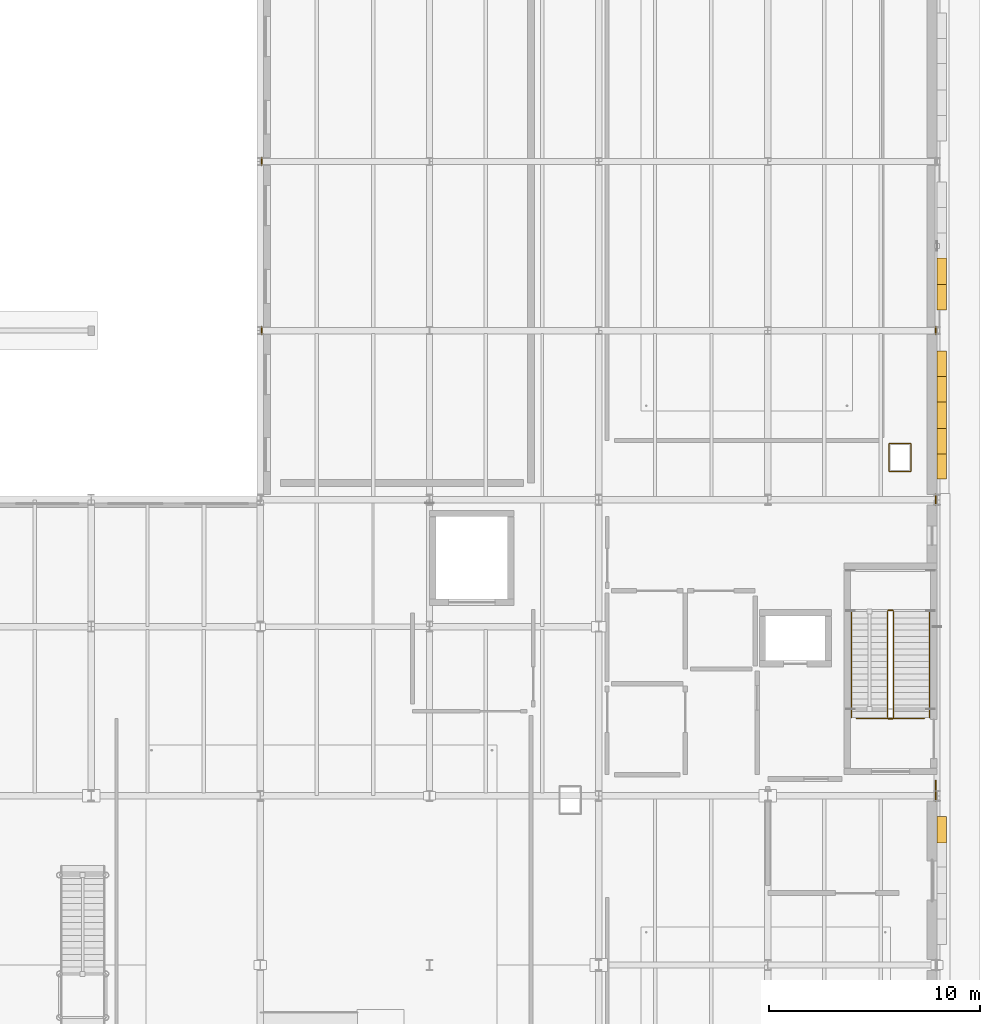
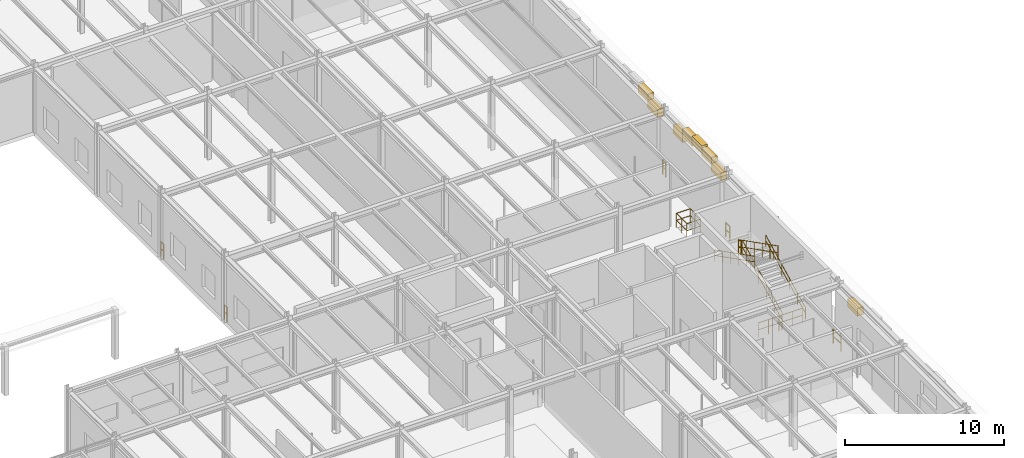
# One storey, part 123 of 129: 14 railings, 8 coverings.
"""IFC4 building model written with IfcOpenShell, lengths in metres."""

from ifc_helpers import new_model, si_unit, direction, frame, origin, origin_2d, place, context, subcontext, project, spatial, rectangle, circle, extrude, material, layer, layer_set, type_object, element, save


model = new_model("IFC4")

# Units and contexts
model_context = context("Model", 3, precision=1e-05, world=origin(), true_north=direction((0.0, 1.0)))
body_context = subcontext(model_context, "Body", "Model", "MODEL_VIEW")
ifc_project = project(units=[si_unit("LENGTHUNIT", "METRE"), si_unit("AREAUNIT", "SQUARE_METRE"), si_unit("VOLUMEUNIT", "CUBIC_METRE"), si_unit("PLANEANGLEUNIT", "RADIAN"), si_unit("MASSUNIT", "GRAM", prefix="KILO")], contexts=[model_context])

# Site, building, storey
site_placement = place(None, origin())
site = spatial("IfcSite", under=ifc_project, at=site_placement, CompositionType="ELEMENT")
building_placement = place(site_placement, origin())
building = spatial("IfcBuilding", under=site, at=building_placement, Name="Sundkrona Museum", CompositionType="ELEMENT")
storey_placement = place(building_placement, origin())
storey = spatial("IfcBuildingStorey", under=building, at=storey_placement, Name="L00", CompositionType="ELEMENT", Elevation=0.0)

# Coverings
ifc_material_1 = material(Name="Frost-Resistant Vitrified Stoneware Mosaic Cladding", Category="masonry")
ifc_layer = layer(ifc_material_1, 0.044921875)
ifc_layer_set = layer_set([ifc_layer], Name="Frost-Resistant Vitrified Stoneware Mosaic Cladding")
covering_type = type_object("IfcCoveringType", Name="COV-CLD-MOS", PredefinedType="CLADDING", material=ifc_layer_set)
for number, where, z_axis, x_axis, name in (
    (1, (168.219970703125, 30.39990234375, 3.8310546875), (0.0, 0.0, 1.0), (1.0, 0.0, 0.0), "Catalan Modernisme East Avenue Arch Voussoir 120"),
    (2, (168.219970703125, 47.60009765625, 3.8310546875), (0.0, 0.0, 1.0), (1.0, 0.0, 0.0), "Catalan Modernisme East Avenue Arch Voussoir 121"),
    (3, (168.219970703125, 48.800048828125, 4.295166015625), (0.0, 0.0, 1.0), (1.0, 0.0, 0.0), "Catalan Modernisme East Avenue Arch Voussoir 122"),
    (4, (168.219970703125, 50.0, 4.449951171875), (0.0, 0.0, 1.0), (1.0, 0.0, 0.0), "Catalan Modernisme East Avenue Arch Voussoir 123"),
    (5, (168.219970703125, 51.199951171875, 4.295166015625), (0.0, 0.0, 1.0), (1.0, 0.0, 0.0), "Catalan Modernisme East Avenue Arch Voussoir 124"),
    (6, (168.219970703125, 52.39990234375, 3.8310546875), (0.0, 0.0, 1.0), (1.0, 0.0, 0.0), "Catalan Modernisme East Avenue Arch Voussoir 125"),
    (7, (168.219970703125, 55.60009765625, 3.8310546875), (0.0, 0.0, 1.0), (1.0, 0.0, 0.0), "Catalan Modernisme East Avenue Arch Voussoir 126"),
    (8, (168.219970703125, 56.800048828125, 4.295166015625), (0.0, 0.0, 1.0), (1.0, 0.0, 0.0), "Catalan Modernisme East Avenue Arch Voussoir 127"),
):
    element("IfcCovering", number, at=place(storey_placement, frame(where, z_axis=z_axis, x_axis=x_axis)), inside=storey, type_object=covering_type, Name=name, PredefinedType="CLADDING", context=body_context, shape_type="SweptSolid", body=[
        extrude(rectangle(XDim=0.43994140625, YDim=1.25, at=origin_2d()), origin(), (0.0, 0.0, 1.0), 0.60009765625),
    ])

# Railings
ifc_material_2 = material(Name="Painted Steel S355J2 and Laminated Glass Balustrade", Category="steel")
railing_type_1 = type_object("IfcRailingType", Name="RL-GUARD-1100", PredefinedType="BALUSTRADE", material=ifc_material_2)
railing_1_placement = place(storey_placement, frame((165.949951171875, 35.699951171875, 0.14990234375)))
element("IfcRailing", 9, at=railing_1_placement, inside=storey, type_object=railing_type_1, Name="L00 ST-1 stair guard 1", PredefinedType="BALUSTRADE", context=body_context, shape_type="SweptSolid", body=[
    extrude(circle(Radius=0.02392578125, at=origin_2d()), frame((0.0, 0.0, 1.076171875), z_axis=(0.0, 0.891386615937, 0.453243754428), x_axis=(-1.0, 0.0, 0.0)), (0.0, 0.0, 1.0), 5.626220703125),
    extrude(circle(Radius=0.02392578125, at=origin_2d()), frame((0.0, 0.0, 0.550048828125), z_axis=(0.0, 0.891386615937, 0.453243754428), x_axis=(-1.0, 0.0, 0.0)), (0.0, 0.0, 1.0), 5.626220703125),
    extrude(circle(Radius=0.02099609375, at=origin_2d()), origin(), (0.0, 0.0, 1.0), 1.052001953125),
    extrude(circle(Radius=0.02099609375, at=origin_2d()), frame((0.0, 1.0029296875, 0.510009765625)), (0.0, 0.0, 1.0), 1.052001953125),
    extrude(circle(Radius=0.02099609375, at=origin_2d()), frame((0.0, 2.006103515625, 1.02001953125)), (0.0, 0.0, 1.0), 1.052001953125),
    extrude(circle(Radius=0.02099609375, at=origin_2d()), frame((0.0, 3.009033203125, 1.530029296875)), (0.0, 0.0, 1.0), 1.052001953125),
    extrude(circle(Radius=0.02099609375, at=origin_2d()), frame((0.0, 4.01220703125, 2.0400390625)), (0.0, 0.0, 1.0), 1.052001953125),
    extrude(circle(Radius=0.02099609375, at=origin_2d()), frame((0.0, 5.01513671875, 2.550048828125)), (0.0, 0.0, 1.0), 1.052001953125),
])
railing_2_placement = place(storey_placement, frame((165.89990234375, 40.764892578125, 2.699951171875)))
element("IfcRailing", 10, at=railing_2_placement, inside=storey, type_object=railing_type_1, Name="L00 ST-1 stair guard 2", PredefinedType="BALUSTRADE", context=body_context, shape_type="SweptSolid", body=[
    extrude(circle(Radius=0.02392578125, at=origin_2d()), frame((0.0, 0.0, 1.076171875), z_axis=(-1.0, 0.0, 0.0), x_axis=(0.0, -1.0, 0.0)), (0.0, 0.0, 1.0), 0.199951171875),
    extrude(circle(Radius=0.02392578125, at=origin_2d()), frame((0.0, 0.0, 0.550048828125), z_axis=(-1.0, 0.0, 0.0), x_axis=(0.0, -1.0, 0.0)), (0.0, 0.0, 1.0), 0.199951171875),
    extrude(circle(Radius=0.02099609375, at=origin_2d()), origin(), (0.0, 0.0, 1.0), 1.052001953125),
    extrude(circle(Radius=0.02099609375, at=origin_2d()), frame((-0.199951171875, 0.0, 0.0)), (0.0, 0.0, 1.0), 1.052001953125),
])
railing_3_placement = place(storey_placement, frame((165.64990234375, 40.715087890625, 2.85009765625)))
element("IfcRailing", 11, at=railing_3_placement, inside=storey, type_object=railing_type_1, Name="L00 ST-1 stair guard 3", PredefinedType="BALUSTRADE", context=body_context, shape_type="SweptSolid", body=[
    extrude(circle(Radius=0.02392578125, at=origin_2d()), frame((0.0, 0.0, 1.076171875), z_axis=(0.0, -0.891404147206, 0.453209274336), x_axis=(1.0, 0.0, 0.0)), (0.0, 0.0, 1.0), 5.626220703125),
    extrude(circle(Radius=0.02392578125, at=origin_2d()), frame((0.0, 0.0, 0.550048828125), z_axis=(0.0, -0.891404147206, 0.453209274336), x_axis=(1.0, 0.0, 0.0)), (0.0, 0.0, 1.0), 5.626220703125),
    extrude(circle(Radius=0.02099609375, at=origin_2d()), origin(), (0.0, 0.0, 1.0), 1.052001953125),
    extrude(circle(Radius=0.02099609375, at=origin_2d()), frame((0.0, -1.0029296875, 0.510009765625)), (0.0, 0.0, 1.0), 1.052001953125),
    extrude(circle(Radius=0.02099609375, at=origin_2d()), frame((0.0, -2.006103515625, 1.02001953125)), (0.0, 0.0, 1.0), 1.052001953125),
    extrude(circle(Radius=0.02099609375, at=origin_2d()), frame((0.0, -3.009033203125, 1.52978515625)), (0.0, 0.0, 1.0), 1.052001953125),
    extrude(circle(Radius=0.02099609375, at=origin_2d()), frame((0.0, -4.01220703125, 2.039794921875)), (0.0, 0.0, 1.0), 1.052001953125),
    extrude(circle(Radius=0.02099609375, at=origin_2d()), frame((0.0, -5.01513671875, 2.5498046875)), (0.0, 0.0, 1.0), 1.052001953125),
])
railing_4_placement = place(storey_placement, frame((165.89990234375, 35.64990234375, 0.0)))
element("IfcRailing", 12, at=railing_4_placement, inside=storey, type_object=railing_type_1, Name="L00 ST-1 stair guard 4", PredefinedType="BALUSTRADE", context=body_context, shape_type="SweptSolid", body=[
    extrude(circle(Radius=0.02392578125, at=origin_2d()), frame((0.0, 0.0, 1.076171875), z_axis=(-1.0, 0.0, 0.0), x_axis=(0.0, -1.0, 0.0)), (0.0, 0.0, 1.0), 0.199951171875),
    extrude(circle(Radius=0.02392578125, at=origin_2d()), frame((0.0, 0.0, 0.550048828125), z_axis=(-1.0, 0.0, 0.0), x_axis=(0.0, -1.0, 0.0)), (0.0, 0.0, 1.0), 0.199951171875),
    extrude(circle(Radius=0.02099609375, at=origin_2d()), origin(), (0.0, 0.0, 1.0), 1.052001953125),
    extrude(circle(Radius=0.02099609375, at=origin_2d()), frame((-0.199951171875, 0.0, 0.0)), (0.0, 0.0, 1.0), 1.052001953125),
])
for number, where, name in (
    (13, (136.06005859375, 53.818115234375, 0.0), "L00 Edge Protection Balustrade 034"),
    (14, (136.06005859375, 61.818115234375, 0.0), "L00 Edge Protection Balustrade 035"),
):
    element("IfcRailing", number, at=place(storey_placement, frame(where)), inside=storey, type_object=railing_type_1, Name=name, PredefinedType="BALUSTRADE", context=body_context, shape_type="SweptSolid", body=[
        extrude(circle(Radius=0.02392578125, at=origin_2d()), frame((0.0, 0.0, 1.09619140625), z_axis=(0.0, 1.0, 0.0), x_axis=(-1.0, 0.0, 0.0)), (0.0, 0.0, 1.0), 0.36376953125),
        extrude(circle(Radius=0.02392578125, at=origin_2d()), frame((0.0, 0.0, 0.56005859375), z_axis=(0.0, 1.0, 0.0), x_axis=(-1.0, 0.0, 0.0)), (0.0, 0.0, 1.0), 0.36376953125),
        extrude(circle(Radius=0.02099609375, at=origin_2d()), origin(), (0.0, 0.0, 1.0), 1.072021484375),
        extrude(circle(Radius=0.02099609375, at=origin_2d()), frame((0.0, 0.36376953125, 0.0)), (0.0, 0.0, 1.0), 1.072021484375),
    ])
railing_5_placement = place(storey_placement, frame((164.179931640625, 35.6650390625, 0.0)))
element("IfcRailing", 15, at=railing_5_placement, inside=storey, type_object=railing_type_1, Name="L00 Edge Protection Balustrade 041", PredefinedType="BALUSTRADE", context=body_context, shape_type="SweptSolid", body=[
    extrude(circle(Radius=0.02392578125, at=origin_2d()), frame((0.0, 0.0, 1.09619140625), z_axis=(1.0, 0.0, 0.0), x_axis=(0.0, 1.0, 0.0)), (0.0, 0.0, 1.0), 1.52001953125),
    extrude(circle(Radius=0.02392578125, at=origin_2d()), frame((0.0, 0.0, 0.56005859375), z_axis=(1.0, 0.0, 0.0), x_axis=(0.0, 1.0, 0.0)), (0.0, 0.0, 1.0), 1.52001953125),
    extrude(circle(Radius=0.02099609375, at=origin_2d()), origin(), (0.0, 0.0, 1.0), 1.072021484375),
    extrude(circle(Radius=0.02099609375, at=origin_2d()), frame((0.760009765625, 0.0, 0.0)), (0.0, 0.0, 1.0), 1.072021484375),
    extrude(circle(Radius=0.02099609375, at=origin_2d()), frame((1.52001953125, 0.0, 0.0)), (0.0, 0.0, 1.0), 1.072021484375),
])
railing_6_placement = place(storey_placement, frame((166.760009765625, 48.659912109375, 0.0)))
element("IfcRailing", 16, at=railing_6_placement, inside=storey, type_object=railing_type_1, Name="L00 Edge Protection Balustrade 042", PredefinedType="BALUSTRADE", context=body_context, shape_type="SweptSolid", body=[
    extrude(circle(Radius=0.02392578125, at=origin_2d()), frame((0.0, 0.0, 1.09619140625), z_axis=(-1.0, 0.0, 0.0), x_axis=(0.0, -1.0, 0.0)), (0.0, 0.0, 1.0), 1.02001953125),
    extrude(circle(Radius=0.02392578125, at=origin_2d()), frame((0.0, 0.0, 0.56005859375), z_axis=(-1.0, 0.0, 0.0), x_axis=(0.0, -1.0, 0.0)), (0.0, 0.0, 1.0), 1.02001953125),
    extrude(circle(Radius=0.02392578125, at=origin_2d()), frame((-1.02001953125, 0.0, 1.09619140625), z_axis=(0.0, -1.0, 0.0), x_axis=(1.0, 0.0, 0.0)), (0.0, 0.0, 1.0), 1.31982421875),
    extrude(circle(Radius=0.02392578125, at=origin_2d()), frame((-1.02001953125, 0.0, 0.56005859375), z_axis=(0.0, -1.0, 0.0), x_axis=(1.0, 0.0, 0.0)), (0.0, 0.0, 1.0), 1.31982421875),
    extrude(circle(Radius=0.02392578125, at=origin_2d()), frame((-1.02001953125, -1.31982421875, 1.09619140625), z_axis=(1.0, 0.0, 0.0), x_axis=(0.0, 1.0, 0.0)), (0.0, 0.0, 1.0), 1.02001953125),
    extrude(circle(Radius=0.02392578125, at=origin_2d()), frame((-1.02001953125, -1.31982421875, 0.56005859375), z_axis=(1.0, 0.0, 0.0), x_axis=(0.0, 1.0, 0.0)), (0.0, 0.0, 1.0), 1.02001953125),
    extrude(circle(Radius=0.02392578125, at=origin_2d()), frame((0.0, -1.31982421875, 1.09619140625), z_axis=(0.0, 1.0, 0.0), x_axis=(-1.0, 0.0, 0.0)), (0.0, 0.0, 1.0), 1.31982421875),
    extrude(circle(Radius=0.02392578125, at=origin_2d()), frame((0.0, -1.31982421875, 0.56005859375), z_axis=(0.0, 1.0, 0.0), x_axis=(-1.0, 0.0, 0.0)), (0.0, 0.0, 1.0), 1.31982421875),
    extrude(circle(Radius=0.02099609375, at=origin_2d()), origin(), (0.0, 0.0, 1.0), 1.072021484375),
    extrude(circle(Radius=0.02099609375, at=origin_2d()), frame((-1.02001953125, 0.0, 0.0)), (0.0, 0.0, 1.0), 1.072021484375),
    extrude(circle(Radius=0.02099609375, at=origin_2d()), frame((-1.02001953125, -0.659912109375, 0.0)), (0.0, 0.0, 1.0), 1.072021484375),
    extrude(circle(Radius=0.02099609375, at=origin_2d()), frame((-1.02001953125, -1.31982421875, 0.0)), (0.0, 0.0, 1.0), 1.072021484375),
    extrude(circle(Radius=0.02099609375, at=origin_2d()), frame((0.0, -1.31982421875, 0.0)), (0.0, 0.0, 1.0), 1.072021484375),
    extrude(circle(Radius=0.02099609375, at=origin_2d()), frame((0.0, -0.659912109375, 0.0)), (0.0, 0.0, 1.0), 1.072021484375),
])
railing_7_placement = place(storey_placement, frame((165.89990234375, 35.6650390625, 0.0)))
element("IfcRailing", 17, at=railing_7_placement, inside=storey, type_object=railing_type_1, Name="L00 Edge Protection Balustrade 043", PredefinedType="BALUSTRADE", context=body_context, shape_type="SweptSolid", body=[
    extrude(circle(Radius=0.02392578125, at=origin_2d()), frame((0.0, 0.0, 1.09619140625), z_axis=(1.0, 0.0, 0.0), x_axis=(0.0, 1.0, 0.0)), (0.0, 0.0, 1.0), 1.52001953125),
    extrude(circle(Radius=0.02392578125, at=origin_2d()), frame((0.0, 0.0, 0.56005859375), z_axis=(1.0, 0.0, 0.0), x_axis=(0.0, 1.0, 0.0)), (0.0, 0.0, 1.0), 1.52001953125),
    extrude(circle(Radius=0.02099609375, at=origin_2d()), origin(), (0.0, 0.0, 1.0), 1.072021484375),
    extrude(circle(Radius=0.02099609375, at=origin_2d()), frame((0.760009765625, 0.0, 0.0)), (0.0, 0.0, 1.0), 1.072021484375),
    extrude(circle(Radius=0.02099609375, at=origin_2d()), frame((1.52001953125, 0.0, 0.0)), (0.0, 0.0, 1.0), 1.072021484375),
])
railing_8_placement = place(storey_placement, frame((167.93994140625, 32.719970703125, 0.0)))
element("IfcRailing", 18, at=railing_8_placement, inside=storey, type_object=railing_type_1, Name="L00 Edge Protection Balustrade 047", PredefinedType="BALUSTRADE", context=body_context, shape_type="SweptSolid", body=[
    extrude(circle(Radius=0.02392578125, at=origin_2d()), frame((0.0, 0.0, 1.09619140625), z_axis=(0.0, -1.0, 0.0), x_axis=(1.0, 0.0, 0.0)), (0.0, 0.0, 1.0), 0.971923828125),
    extrude(circle(Radius=0.02392578125, at=origin_2d()), frame((0.0, 0.0, 0.56005859375), z_axis=(0.0, -1.0, 0.0), x_axis=(1.0, 0.0, 0.0)), (0.0, 0.0, 1.0), 0.971923828125),
    extrude(circle(Radius=0.02099609375, at=origin_2d()), origin(), (0.0, 0.0, 1.0), 1.072021484375),
    extrude(circle(Radius=0.02099609375, at=origin_2d()), frame((0.0, -0.971923828125, 0.0)), (0.0, 0.0, 1.0), 1.072021484375),
])
railing_9_placement = place(storey_placement, frame((167.93994140625, 46.251953125, 0.0)))
element("IfcRailing", 19, at=railing_9_placement, inside=storey, type_object=railing_type_1, Name="L00 Edge Protection Balustrade 048", PredefinedType="BALUSTRADE", context=body_context, shape_type="SweptSolid", body=[
    extrude(circle(Radius=0.02392578125, at=origin_2d()), frame((0.0, 0.0, 1.09619140625), z_axis=(0.0, -1.0, 0.0), x_axis=(1.0, 0.0, 0.0)), (0.0, 0.0, 1.0), 0.50390625),
    extrude(circle(Radius=0.02392578125, at=origin_2d()), frame((0.0, 0.0, 0.56005859375), z_axis=(0.0, -1.0, 0.0), x_axis=(1.0, 0.0, 0.0)), (0.0, 0.0, 1.0), 0.50390625),
    extrude(circle(Radius=0.02099609375, at=origin_2d()), origin(), (0.0, 0.0, 1.0), 1.072021484375),
    extrude(circle(Radius=0.02099609375, at=origin_2d()), frame((0.0, -0.50390625, 0.0)), (0.0, 0.0, 1.0), 1.072021484375),
])
railing_10_placement = place(storey_placement, frame((167.93994140625, 54.181884765625, 0.0)))
element("IfcRailing", 20, at=railing_10_placement, inside=storey, type_object=railing_type_1, Name="L00 Edge Protection Balustrade 049", PredefinedType="BALUSTRADE", context=body_context, shape_type="SweptSolid", body=[
    extrude(circle(Radius=0.02392578125, at=origin_2d()), frame((0.0, 0.0, 1.09619140625), z_axis=(0.0, -1.0, 0.0), x_axis=(1.0, 0.0, 0.0)), (0.0, 0.0, 1.0), 0.36376953125),
    extrude(circle(Radius=0.02392578125, at=origin_2d()), frame((0.0, 0.0, 0.56005859375), z_axis=(0.0, -1.0, 0.0), x_axis=(1.0, 0.0, 0.0)), (0.0, 0.0, 1.0), 0.36376953125),
    extrude(circle(Radius=0.02099609375, at=origin_2d()), origin(), (0.0, 0.0, 1.0), 1.072021484375),
    extrude(circle(Radius=0.02099609375, at=origin_2d()), frame((0.0, -0.36376953125, 0.0)), (0.0, 0.0, 1.0), 1.072021484375),
])
ifc_material_3 = material(Name="Brushed Bronze-Clad Steel Handrail", Category="steel")
railing_type_2 = type_object("IfcRailingType", Name="RL-HAND-900", PredefinedType="HANDRAIL", material=ifc_material_3)
railing_11_placement = place(storey_placement, frame((167.64990234375, 35.699951171875, 0.14990234375)))
element("IfcRailing", 21, at=railing_11_placement, inside=storey, type_object=railing_type_2, Name="L00 ST-1 stair handrail 1", PredefinedType="HANDRAIL", context=body_context, shape_type="SweptSolid", body=[
    extrude(circle(Radius=0.02392578125, at=origin_2d()), frame((0.0, 0.0, 0.8759765625), z_axis=(0.0, 0.891386615937, 0.453243754428), x_axis=(-1.0, 0.0, 0.0)), (0.0, 0.0, 1.0), 5.626220703125),
    extrude(circle(Radius=0.02392578125, at=origin_2d()), frame((0.0, 0.0, 0.449951171875), z_axis=(0.0, 0.891386615937, 0.453243754428), x_axis=(-1.0, 0.0, 0.0)), (0.0, 0.0, 1.0), 5.626220703125),
    extrude(circle(Radius=0.02099609375, at=origin_2d()), origin(), (0.0, 0.0, 1.0), 0.851806640625),
    extrude(circle(Radius=0.02099609375, at=origin_2d()), frame((0.0, 1.0029296875, 0.510009765625)), (0.0, 0.0, 1.0), 0.851806640625),
    extrude(circle(Radius=0.02099609375, at=origin_2d()), frame((0.0, 2.006103515625, 1.02001953125)), (0.0, 0.0, 1.0), 0.851806640625),
    extrude(circle(Radius=0.02099609375, at=origin_2d()), frame((0.0, 3.009033203125, 1.530029296875)), (0.0, 0.0, 1.0), 0.851806640625),
    extrude(circle(Radius=0.02099609375, at=origin_2d()), frame((0.0, 4.01220703125, 2.0400390625)), (0.0, 0.0, 1.0), 0.851806640625),
    extrude(circle(Radius=0.02099609375, at=origin_2d()), frame((0.0, 5.01513671875, 2.550048828125)), (0.0, 0.0, 1.0), 0.851806640625),
])
railing_12_placement = place(storey_placement, frame((163.949951171875, 40.715087890625, 2.85009765625)))
element("IfcRailing", 22, at=railing_12_placement, inside=storey, type_object=railing_type_2, Name="L00 ST-1 stair handrail 2", PredefinedType="HANDRAIL", context=body_context, shape_type="SweptSolid", body=[
    extrude(circle(Radius=0.02392578125, at=origin_2d()), frame((0.0, 0.0, 0.8759765625), z_axis=(0.0, -0.891404147206, 0.453209274336), x_axis=(1.0, 0.0, 0.0)), (0.0, 0.0, 1.0), 5.626220703125),
    extrude(circle(Radius=0.02392578125, at=origin_2d()), frame((0.0, 0.0, 0.449951171875), z_axis=(0.0, -0.891404147206, 0.453209274336), x_axis=(1.0, 0.0, 0.0)), (0.0, 0.0, 1.0), 5.626220703125),
    extrude(circle(Radius=0.02099609375, at=origin_2d()), origin(), (0.0, 0.0, 1.0), 0.851806640625),
    extrude(circle(Radius=0.02099609375, at=origin_2d()), frame((0.0, -1.0029296875, 0.510009765625)), (0.0, 0.0, 1.0), 0.851806640625),
    extrude(circle(Radius=0.02099609375, at=origin_2d()), frame((0.0, -2.006103515625, 1.02001953125)), (0.0, 0.0, 1.0), 0.851806640625),
    extrude(circle(Radius=0.02099609375, at=origin_2d()), frame((0.0, -3.009033203125, 1.52978515625)), (0.0, 0.0, 1.0), 0.851806640625),
    extrude(circle(Radius=0.02099609375, at=origin_2d()), frame((0.0, -4.01220703125, 2.039794921875)), (0.0, 0.0, 1.0), 0.851806640625),
    extrude(circle(Radius=0.02099609375, at=origin_2d()), frame((0.0, -5.01513671875, 2.5498046875)), (0.0, 0.0, 1.0), 0.851806640625),
])

save(model, "model.ifc")
